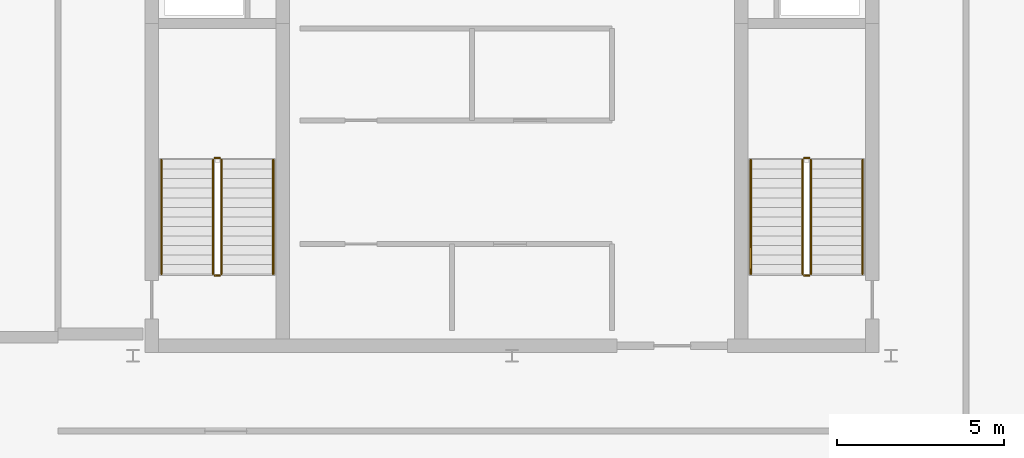
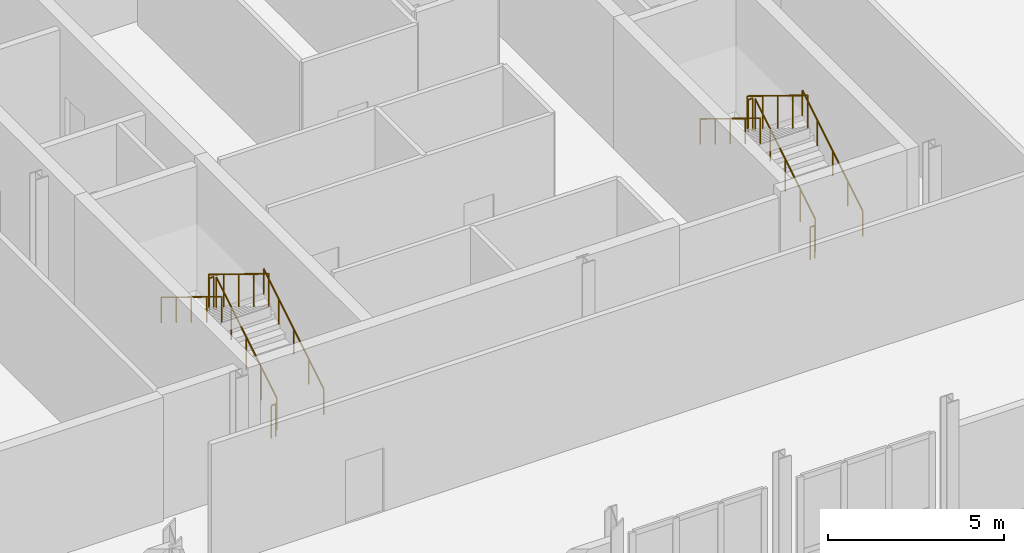
# One storey, part 7 of 7: 12 railings.
"""IFC4 building model written with IfcOpenShell, lengths in metres."""

from ifc_helpers import new_model, si_unit, direction, frame, origin, origin_2d, place, context, subcontext, project, spatial, circle, extrude, material, type_object, element, save


model = new_model("IFC4")

# Units and contexts
model_context = context("Model", 3, precision=1e-05, world=origin(), true_north=direction((0.0, 1.0)))
body_context = subcontext(model_context, "Body", "Model", "MODEL_VIEW")
ifc_project = project(units=[si_unit("LENGTHUNIT", "METRE"), si_unit("AREAUNIT", "SQUARE_METRE"), si_unit("VOLUMEUNIT", "CUBIC_METRE"), si_unit("PLANEANGLEUNIT", "RADIAN"), si_unit("MASSUNIT", "GRAM", prefix="KILO")], contexts=[model_context])

# Site, building, storey
site_placement = place(None, origin())
site = spatial("IfcSite", under=ifc_project, at=site_placement, CompositionType="ELEMENT")
building_placement = place(site_placement, origin())
building = spatial("IfcBuilding", under=site, at=building_placement, Name="Nhamokura Convention Tower", CompositionType="ELEMENT")
storey_placement = place(building_placement, frame((0.0, 0.0, 326.89990234375)))
storey = spatial("IfcBuildingStorey", under=building, at=storey_placement, Name="L80", CompositionType="ELEMENT", Elevation=326.89990234375)

# Railings
ifc_material_1 = material(Name="Anodised bronze stainless steel", Category="steel")
railing_type_1 = type_object("IfcRailingType", Name="StairWallHandrail_900", PredefinedType="HANDRAIL", material=ifc_material_1)
railing_1_placement = place(storey_placement, frame((24.85009765625, 23.10009765625, 0.175048828125)))
element("IfcRailing", 1, at=railing_1_placement, inside=storey, type_object=railing_type_1, Name="L80 ST-01 stair handrail 1", PredefinedType="HANDRAIL", context=body_context, shape_type="SweptSolid", body=[
    extrude(circle(Radius=0.02392578125, at=origin_2d()), frame((0.0, 0.0, 0.8759765625), z_axis=(0.0, 0.852155044755, 0.523289384279), x_axis=(-1.0, 0.0, 0.0)), (0.0, 0.0, 1.0), 4.01318359375),
    extrude(circle(Radius=0.02099609375, at=origin_2d()), origin(), (0.0, 0.0, 1.0), 0.851806640625),
    extrude(circle(Radius=0.02099609375, at=origin_2d()), frame((0.0, 0.85498046875, 0.52490234375)), (0.0, 0.0, 1.0), 0.851806640625),
    extrude(circle(Radius=0.02099609375, at=origin_2d()), frame((0.0, 1.7099609375, 1.050048828125)), (0.0, 0.0, 1.0), 0.851806640625),
    extrude(circle(Radius=0.02099609375, at=origin_2d()), frame((0.0, 2.56494140625, 1.5751953125)), (0.0, 0.0, 1.0), 0.851806640625),
    extrude(circle(Radius=0.02099609375, at=origin_2d()), frame((0.0, 3.419921875, 2.10009765625)), (0.0, 0.0, 1.0), 0.851806640625),
])
railing_2_placement = place(storey_placement, frame((21.5, 26.52001953125, 2.4501953125)))
element("IfcRailing", 2, at=railing_2_placement, inside=storey, type_object=railing_type_1, Name="L80 ST-01 stair handrail 2", PredefinedType="HANDRAIL", context=body_context, shape_type="SweptSolid", body=[
    extrude(circle(Radius=0.02392578125, at=origin_2d()), frame((0.0, 0.0, 0.8759765625), z_axis=(0.0, -0.852182171552, 0.523245206847), x_axis=(1.0, 0.0, 0.0)), (0.0, 0.0, 1.0), 4.01318359375),
    extrude(circle(Radius=0.02099609375, at=origin_2d()), origin(), (0.0, 0.0, 1.0), 0.851806640625),
    extrude(circle(Radius=0.02099609375, at=origin_2d()), frame((0.0, -0.85498046875, 0.52490234375)), (0.0, 0.0, 1.0), 0.851806640625),
    extrude(circle(Radius=0.02099609375, at=origin_2d()), frame((0.0, -1.7099609375, 1.0498046875)), (0.0, 0.0, 1.0), 0.851806640625),
    extrude(circle(Radius=0.02099609375, at=origin_2d()), frame((0.0, -2.56494140625, 1.574951171875)), (0.0, 0.0, 1.0), 0.851806640625),
    extrude(circle(Radius=0.02099609375, at=origin_2d()), frame((0.0, -3.419921875, 2.099853515625)), (0.0, 0.0, 1.0), 0.851806640625),
])
railing_3_placement = place(storey_placement, frame((42.5, 23.10009765625, 0.175048828125)))
element("IfcRailing", 3, at=railing_3_placement, inside=storey, type_object=railing_type_1, Name="L80 ST-02 stair handrail 1", PredefinedType="HANDRAIL", context=body_context, shape_type="SweptSolid", body=[
    extrude(circle(Radius=0.02392578125, at=origin_2d()), frame((0.0, 0.0, 0.8759765625), z_axis=(0.0, 0.852155044755, 0.523289384279), x_axis=(-1.0, 0.0, 0.0)), (0.0, 0.0, 1.0), 4.01318359375),
    extrude(circle(Radius=0.02099609375, at=origin_2d()), origin(), (0.0, 0.0, 1.0), 0.851806640625),
    extrude(circle(Radius=0.02099609375, at=origin_2d()), frame((0.0, 0.85498046875, 0.52490234375)), (0.0, 0.0, 1.0), 0.851806640625),
    extrude(circle(Radius=0.02099609375, at=origin_2d()), frame((0.0, 1.7099609375, 1.050048828125)), (0.0, 0.0, 1.0), 0.851806640625),
    extrude(circle(Radius=0.02099609375, at=origin_2d()), frame((0.0, 2.56494140625, 1.5751953125)), (0.0, 0.0, 1.0), 0.851806640625),
    extrude(circle(Radius=0.02099609375, at=origin_2d()), frame((0.0, 3.419921875, 2.10009765625)), (0.0, 0.0, 1.0), 0.851806640625),
])
railing_4_placement = place(storey_placement, frame((39.14990234375, 26.52001953125, 2.4501953125)))
element("IfcRailing", 4, at=railing_4_placement, inside=storey, type_object=railing_type_1, Name="L80 ST-02 stair handrail 2", PredefinedType="HANDRAIL", context=body_context, shape_type="SweptSolid", body=[
    extrude(circle(Radius=0.02392578125, at=origin_2d()), frame((0.0, 0.0, 0.8759765625), z_axis=(0.0, -0.852182171552, 0.523245206847), x_axis=(1.0, 0.0, 0.0)), (0.0, 0.0, 1.0), 4.01318359375),
    extrude(circle(Radius=0.02099609375, at=origin_2d()), origin(), (0.0, 0.0, 1.0), 0.851806640625),
    extrude(circle(Radius=0.02099609375, at=origin_2d()), frame((0.0, -0.85498046875, 0.52490234375)), (0.0, 0.0, 1.0), 0.851806640625),
    extrude(circle(Radius=0.02099609375, at=origin_2d()), frame((0.0, -1.7099609375, 1.0498046875)), (0.0, 0.0, 1.0), 0.851806640625),
    extrude(circle(Radius=0.02099609375, at=origin_2d()), frame((0.0, -2.56494140625, 1.574951171875)), (0.0, 0.0, 1.0), 0.851806640625),
    extrude(circle(Radius=0.02099609375, at=origin_2d()), frame((0.0, -3.419921875, 2.099853515625)), (0.0, 0.0, 1.0), 0.851806640625),
])
ifc_material_2 = material(Name="Painted tubular steel", Category="steel")
railing_type_2 = type_object("IfcRailingType", Name="StairWellGuardrail_1150", PredefinedType="GUARDRAIL", material=ifc_material_2)
railing_5_placement = place(storey_placement, frame((23.300048828125, 23.10009765625, 0.175048828125)))
element("IfcRailing", 5, at=railing_5_placement, inside=storey, type_object=railing_type_2, Name="L80 ST-01 stair guard 1", PredefinedType="GUARDRAIL", context=body_context, shape_type="SweptSolid", body=[
    extrude(circle(Radius=0.02392578125, at=origin_2d()), frame((0.0, 0.0, 1.1259765625), z_axis=(0.0, 0.852155044755, 0.523289384279), x_axis=(-1.0, 0.0, 0.0)), (0.0, 0.0, 1.0), 4.01318359375),
    extrude(circle(Radius=0.02099609375, at=origin_2d()), origin(), (0.0, 0.0, 1.0), 1.101806640625),
    extrude(circle(Radius=0.02099609375, at=origin_2d()), frame((0.0, 0.85498046875, 0.52490234375)), (0.0, 0.0, 1.0), 1.101806640625),
    extrude(circle(Radius=0.02099609375, at=origin_2d()), frame((0.0, 1.7099609375, 1.050048828125)), (0.0, 0.0, 1.0), 1.101806640625),
    extrude(circle(Radius=0.02099609375, at=origin_2d()), frame((0.0, 2.56494140625, 1.5751953125)), (0.0, 0.0, 1.0), 1.101806640625),
    extrude(circle(Radius=0.02099609375, at=origin_2d()), frame((0.0, 3.419921875, 2.10009765625)), (0.0, 0.0, 1.0), 1.101806640625),
])
railing_6_placement = place(storey_placement, frame((23.25, 26.570068359375, 2.275146484375)))
element("IfcRailing", 6, at=railing_6_placement, inside=storey, type_object=railing_type_2, Name="L80 ST-01 stair guard 2", PredefinedType="GUARDRAIL", context=body_context, shape_type="SweptSolid", body=[
    extrude(circle(Radius=0.02392578125, at=origin_2d()), frame((0.0, 0.0, 1.1259765625), z_axis=(-1.0, 0.0, 0.0), x_axis=(0.0, -1.0, 0.0)), (0.0, 0.0, 1.0), 0.14990234375),
    extrude(circle(Radius=0.02099609375, at=origin_2d()), origin(), (0.0, 0.0, 1.0), 1.101806640625),
    extrude(circle(Radius=0.02099609375, at=origin_2d()), frame((-0.14990234375, 0.0, 0.0)), (0.0, 0.0, 1.0), 1.101806640625),
])
railing_7_placement = place(storey_placement, frame((23.050048828125, 26.52001953125, 2.4501953125)))
element("IfcRailing", 7, at=railing_7_placement, inside=storey, type_object=railing_type_2, Name="L80 ST-01 stair guard 3", PredefinedType="GUARDRAIL", context=body_context, shape_type="SweptSolid", body=[
    extrude(circle(Radius=0.02392578125, at=origin_2d()), frame((0.0, 0.0, 1.1259765625), z_axis=(0.0, -0.852182171552, 0.523245206847), x_axis=(1.0, 0.0, 0.0)), (0.0, 0.0, 1.0), 4.01318359375),
    extrude(circle(Radius=0.02099609375, at=origin_2d()), origin(), (0.0, 0.0, 1.0), 1.101806640625),
    extrude(circle(Radius=0.02099609375, at=origin_2d()), frame((0.0, -0.85498046875, 0.52490234375)), (0.0, 0.0, 1.0), 1.101806640625),
    extrude(circle(Radius=0.02099609375, at=origin_2d()), frame((0.0, -1.7099609375, 1.0498046875)), (0.0, 0.0, 1.0), 1.101806640625),
    extrude(circle(Radius=0.02099609375, at=origin_2d()), frame((0.0, -2.56494140625, 1.574951171875)), (0.0, 0.0, 1.0), 1.101806640625),
    extrude(circle(Radius=0.02099609375, at=origin_2d()), frame((0.0, -3.419921875, 2.099853515625)), (0.0, 0.0, 1.0), 1.101806640625),
])
railing_8_placement = place(storey_placement, frame((23.25, 23.050048828125, 0.0)))
element("IfcRailing", 8, at=railing_8_placement, inside=storey, type_object=railing_type_2, Name="L80 ST-01 stair guard 4", PredefinedType="GUARDRAIL", context=body_context, shape_type="SweptSolid", body=[
    extrude(circle(Radius=0.02392578125, at=origin_2d()), frame((0.0, 0.0, 1.1259765625), z_axis=(-1.0, 0.0, 0.0), x_axis=(0.0, -1.0, 0.0)), (0.0, 0.0, 1.0), 0.14990234375),
    extrude(circle(Radius=0.02099609375, at=origin_2d()), origin(), (0.0, 0.0, 1.0), 1.101806640625),
    extrude(circle(Radius=0.02099609375, at=origin_2d()), frame((-0.14990234375, 0.0, 0.0)), (0.0, 0.0, 1.0), 1.101806640625),
])
railing_9_placement = place(storey_placement, frame((40.949951171875, 23.10009765625, 0.175048828125)))
element("IfcRailing", 9, at=railing_9_placement, inside=storey, type_object=railing_type_2, Name="L80 ST-02 stair guard 1", PredefinedType="GUARDRAIL", context=body_context, shape_type="SweptSolid", body=[
    extrude(circle(Radius=0.02392578125, at=origin_2d()), frame((0.0, 0.0, 1.1259765625), z_axis=(0.0, 0.852155044755, 0.523289384279), x_axis=(-1.0, 0.0, 0.0)), (0.0, 0.0, 1.0), 4.01318359375),
    extrude(circle(Radius=0.02099609375, at=origin_2d()), origin(), (0.0, 0.0, 1.0), 1.101806640625),
    extrude(circle(Radius=0.02099609375, at=origin_2d()), frame((0.0, 0.85498046875, 0.52490234375)), (0.0, 0.0, 1.0), 1.101806640625),
    extrude(circle(Radius=0.02099609375, at=origin_2d()), frame((0.0, 1.7099609375, 1.050048828125)), (0.0, 0.0, 1.0), 1.101806640625),
    extrude(circle(Radius=0.02099609375, at=origin_2d()), frame((0.0, 2.56494140625, 1.5751953125)), (0.0, 0.0, 1.0), 1.101806640625),
    extrude(circle(Radius=0.02099609375, at=origin_2d()), frame((0.0, 3.419921875, 2.10009765625)), (0.0, 0.0, 1.0), 1.101806640625),
])
railing_10_placement = place(storey_placement, frame((40.89990234375, 26.570068359375, 2.275146484375)))
element("IfcRailing", 10, at=railing_10_placement, inside=storey, type_object=railing_type_2, Name="L80 ST-02 stair guard 2", PredefinedType="GUARDRAIL", context=body_context, shape_type="SweptSolid", body=[
    extrude(circle(Radius=0.02392578125, at=origin_2d()), frame((0.0, 0.0, 1.1259765625), z_axis=(-1.0, 0.0, 0.0), x_axis=(0.0, -1.0, 0.0)), (0.0, 0.0, 1.0), 0.14990234375),
    extrude(circle(Radius=0.02099609375, at=origin_2d()), origin(), (0.0, 0.0, 1.0), 1.101806640625),
    extrude(circle(Radius=0.02099609375, at=origin_2d()), frame((-0.14990234375, 0.0, 0.0)), (0.0, 0.0, 1.0), 1.101806640625),
])
railing_11_placement = place(storey_placement, frame((40.699951171875, 26.52001953125, 2.4501953125)))
element("IfcRailing", 11, at=railing_11_placement, inside=storey, type_object=railing_type_2, Name="L80 ST-02 stair guard 3", PredefinedType="GUARDRAIL", context=body_context, shape_type="SweptSolid", body=[
    extrude(circle(Radius=0.02392578125, at=origin_2d()), frame((0.0, 0.0, 1.1259765625), z_axis=(0.0, -0.852182171552, 0.523245206847), x_axis=(1.0, 0.0, 0.0)), (0.0, 0.0, 1.0), 4.01318359375),
    extrude(circle(Radius=0.02099609375, at=origin_2d()), origin(), (0.0, 0.0, 1.0), 1.101806640625),
    extrude(circle(Radius=0.02099609375, at=origin_2d()), frame((0.0, -0.85498046875, 0.52490234375)), (0.0, 0.0, 1.0), 1.101806640625),
    extrude(circle(Radius=0.02099609375, at=origin_2d()), frame((0.0, -1.7099609375, 1.0498046875)), (0.0, 0.0, 1.0), 1.101806640625),
    extrude(circle(Radius=0.02099609375, at=origin_2d()), frame((0.0, -2.56494140625, 1.574951171875)), (0.0, 0.0, 1.0), 1.101806640625),
    extrude(circle(Radius=0.02099609375, at=origin_2d()), frame((0.0, -3.419921875, 2.099853515625)), (0.0, 0.0, 1.0), 1.101806640625),
])
railing_12_placement = place(storey_placement, frame((40.89990234375, 23.050048828125, 0.0)))
element("IfcRailing", 12, at=railing_12_placement, inside=storey, type_object=railing_type_2, Name="L80 ST-02 stair guard 4", PredefinedType="GUARDRAIL", context=body_context, shape_type="SweptSolid", body=[
    extrude(circle(Radius=0.02392578125, at=origin_2d()), frame((0.0, 0.0, 1.1259765625), z_axis=(-1.0, 0.0, 0.0), x_axis=(0.0, -1.0, 0.0)), (0.0, 0.0, 1.0), 0.14990234375),
    extrude(circle(Radius=0.02099609375, at=origin_2d()), origin(), (0.0, 0.0, 1.0), 1.101806640625),
    extrude(circle(Radius=0.02099609375, at=origin_2d()), frame((-0.14990234375, 0.0, 0.0)), (0.0, 0.0, 1.0), 1.101806640625),
])

save(model, "model.ifc")
